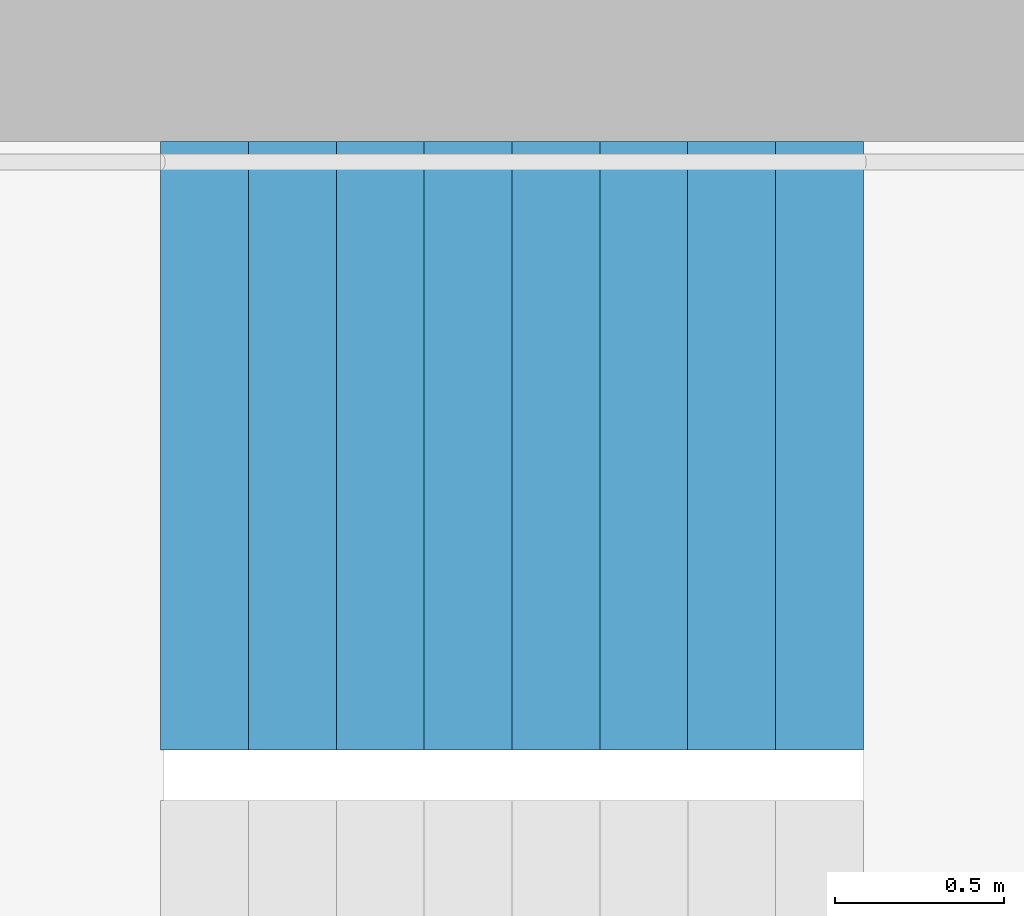
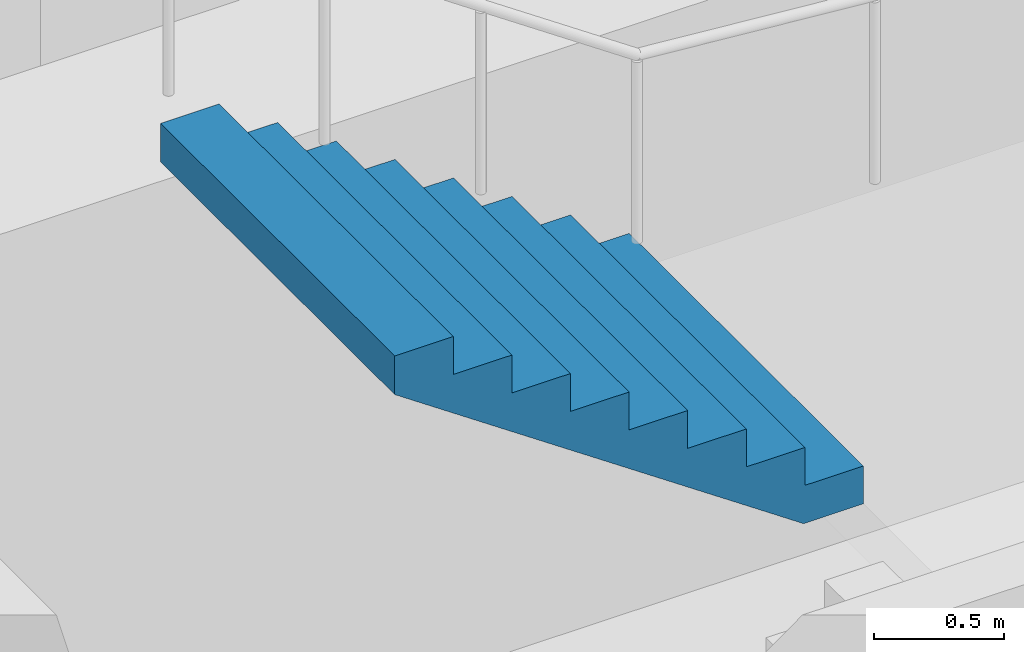
# One storey, part 20 of 25: 1 stair flight, 1 element without a shape of its own.
"""IFC4 building model written with IfcOpenShell, lengths in metres."""

from ifc_helpers import new_model, si_unit, direction, frame, origin, place, context, subcontext, project, spatial, triangles, material, type_object, element, aggregate, save


model = new_model("IFC4")

# Units and contexts
model_context = context("Model", 3, precision=1e-05, world=origin(), true_north=direction((0.0, 1.0)))
body_context = subcontext(model_context, "Body", "Model", "MODEL_VIEW")
ifc_project = project(units=[si_unit("LENGTHUNIT", "METRE"), si_unit("AREAUNIT", "SQUARE_METRE"), si_unit("VOLUMEUNIT", "CUBIC_METRE"), si_unit("PLANEANGLEUNIT", "RADIAN"), si_unit("MASSUNIT", "GRAM", prefix="KILO")], contexts=[model_context])

# Site, building, storey
site_placement = place(None, origin())
site = spatial("IfcSite", under=ifc_project, at=site_placement, CompositionType="ELEMENT")
building_placement = place(site_placement, origin())
building = spatial("IfcBuilding", under=site, at=building_placement, Name="Hakoniwa Tower and Hamabe Station Hall", CompositionType="ELEMENT")
storey_placement = place(building_placement, frame((0.0, 0.0, 186.60009765625)))
storey = spatial("IfcBuildingStorey", under=building, at=storey_placement, Name="L52", CompositionType="ELEMENT", Elevation=186.60009765625)

# Stair, stair flight
ifc_material_1 = material(Name="Concrete C40", Category="concrete")
stair_type = type_object("IfcStairType", Name="ESCAPE STAIR 1800", PredefinedType="HALF_TURN_STAIR", material=ifc_material_1)
stair_placement = place(storey_placement, origin())
stair = element("IfcStair", 1, at=stair_placement, inside=storey, type_object=stair_type, Name="Escape stair ST-1 L52", PredefinedType="HALF_TURN_STAIR")
ifc_material_2 = material(Name="Concrete C40", Category="concrete")
stair_flight_type = type_object("IfcStairFlightType", Name="STAIR FLIGHT 1800", PredefinedType="STRAIGHT", material=ifc_material_2)
stair_flight_placement = place(storey_placement, frame((-22.320068359375, 6.60009765625, 1.599853515625), z_axis=(0.0, 0.0, 1.0), x_axis=(-1.0, 0.0, 0.0)))
stair_flight = element("IfcStairFlight", 2, at=stair_flight_placement, type_object=stair_flight_type, Name="ST-1 flight 2", NumberOfRisers=9, NumberOfTreads=8, PredefinedType="STRAIGHT", RiserHeight=0.177777778, TreadLength=0.26, context=body_context, shape_type="Tessellation", body=[
    triangles([(0.0, 0.89990234375, 0.0), (0.260009765625, 0.89990234375, 0.0), (0.265625, 0.89990234375, 0.0), (0.52001953125, 0.89990234375, 0.174072265625), (0.780029296875, 0.89990234375, 0.351806640625), (1.0400390625, 0.89990234375, 0.529541015625), (1.300048828125, 0.89990234375, 0.707275390625), (1.56005859375, 0.89990234375, 0.885009765625), (1.820068359375, 0.89990234375, 1.062744140625), (2.080078125, 0.89990234375, 1.24072265625), (2.080078125, 0.89990234375, 1.422119140625), (1.820068359375, 0.89990234375, 1.422119140625), (1.820068359375, 0.89990234375, 1.244384765625), (1.56005859375, 0.89990234375, 1.244384765625), (1.56005859375, 0.89990234375, 1.066650390625), (1.300048828125, 0.89990234375, 1.066650390625), (1.300048828125, 0.89990234375, 0.888916015625), (1.0400390625, 0.89990234375, 0.888916015625), (1.0400390625, 0.89990234375, 0.711181640625), (0.780029296875, 0.89990234375, 0.711181640625), (0.780029296875, 0.89990234375, 0.533447265625), (0.52001953125, 0.89990234375, 0.533447265625), (0.52001953125, 0.89990234375, 0.35546875), (0.265625, 0.89990234375, 0.35546875), (0.260009765625, 0.89990234375, 0.35546875), (0.260009765625, 0.89990234375, 0.177734375), (0.0, 0.89990234375, 0.177734375), (0.0, 0.06005859375, 0.0), (0.260009765625, 0.06005859375, 0.0), (0.265625, 0.06005859375, 0.0), (0.52001953125, 0.06005859375, 0.174072265625), (0.780029296875, 0.06005859375, 0.351806640625), (1.0400390625, 0.06005859375, 0.529541015625), (1.300048828125, 0.06005859375, 0.707275390625), (1.56005859375, 0.06005859375, 0.885009765625), (1.820068359375, 0.06005859375, 1.062744140625), (2.080078125, 0.06005859375, 1.24072265625), (2.080078125, 0.06005859375, 1.422119140625), (1.820068359375, 0.06005859375, 1.422119140625), (1.820068359375, 0.06005859375, 1.244384765625), (1.56005859375, 0.06005859375, 1.244384765625), (1.56005859375, 0.06005859375, 1.066650390625), (1.300048828125, 0.06005859375, 1.066650390625), (1.300048828125, 0.06005859375, 0.888916015625), (1.0400390625, 0.06005859375, 0.888916015625), (1.0400390625, 0.06005859375, 0.711181640625), (0.780029296875, 0.06005859375, 0.711181640625), (0.780029296875, 0.06005859375, 0.533447265625), (0.52001953125, 0.06005859375, 0.533447265625), (0.52001953125, 0.06005859375, 0.35546875), (0.265625, 0.06005859375, 0.35546875), (0.260009765625, 0.06005859375, 0.35546875), (0.260009765625, 0.06005859375, 0.177734375), (0.0, 0.06005859375, 0.177734375), (0.0, 0.04296875, 0.0), (0.260009765625, 0.04296875, 0.0), (0.265625, 0.04296875, 0.0), (0.52001953125, 0.04296875, 0.174072265625), (0.780029296875, 0.04296875, 0.351806640625), (1.0400390625, 0.04296875, 0.529541015625), (1.300048828125, 0.04296875, 0.707275390625), (1.56005859375, 0.04296875, 0.885009765625), (1.820068359375, 0.04296875, 1.062744140625), (2.080078125, 0.04296875, 1.24072265625), (2.080078125, 0.04296875, 1.422119140625), (1.820068359375, 0.04296875, 1.422119140625), (1.820068359375, 0.04296875, 1.244384765625), (1.56005859375, 0.04296875, 1.244384765625), (1.56005859375, 0.04296875, 1.066650390625), (1.300048828125, 0.04296875, 1.066650390625), (1.300048828125, 0.04296875, 0.888916015625), (1.0400390625, 0.04296875, 0.888916015625), (1.0400390625, 0.04296875, 0.711181640625), (0.780029296875, 0.04296875, 0.711181640625), (0.780029296875, 0.04296875, 0.533447265625), (0.52001953125, 0.04296875, 0.533447265625), (0.52001953125, 0.04296875, 0.35546875), (0.265625, 0.04296875, 0.35546875), (0.260009765625, 0.04296875, 0.35546875), (0.260009765625, 0.04296875, 0.177734375), (0.0, 0.04296875, 0.177734375), (0.0, 0.025634765625, 0.0), (0.260009765625, 0.025634765625, 0.0), (0.265625, 0.025634765625, 0.0), (0.52001953125, 0.025634765625, 0.174072265625), (0.780029296875, 0.025634765625, 0.351806640625), (1.0400390625, 0.025634765625, 0.529541015625), (1.300048828125, 0.025634765625, 0.707275390625), (1.56005859375, 0.025634765625, 0.885009765625), (1.820068359375, 0.025634765625, 1.062744140625), (2.080078125, 0.025634765625, 1.24072265625), (2.080078125, 0.025634765625, 1.422119140625), (1.820068359375, 0.025634765625, 1.422119140625), (1.820068359375, 0.025634765625, 1.244384765625), (1.56005859375, 0.025634765625, 1.244384765625), (1.56005859375, 0.025634765625, 1.066650390625), (1.300048828125, 0.025634765625, 1.066650390625), (1.300048828125, 0.025634765625, 0.888916015625), (1.0400390625, 0.025634765625, 0.888916015625), (1.0400390625, 0.025634765625, 0.711181640625), (0.780029296875, 0.025634765625, 0.711181640625), (0.780029296875, 0.025634765625, 0.533447265625), (0.52001953125, 0.025634765625, 0.533447265625), (0.52001953125, 0.025634765625, 0.35546875), (0.265625, 0.025634765625, 0.35546875), (0.260009765625, 0.025634765625, 0.35546875), (0.260009765625, 0.025634765625, 0.177734375), (0.0, 0.025634765625, 0.177734375), (0.0, 0.008544921875, 0.0), (0.260009765625, 0.008544921875, 0.0), (0.265625, 0.008544921875, 0.0), (0.52001953125, 0.008544921875, 0.174072265625), (0.780029296875, 0.008544921875, 0.351806640625), (1.0400390625, 0.008544921875, 0.529541015625), (1.300048828125, 0.008544921875, 0.707275390625), (1.56005859375, 0.008544921875, 0.885009765625), (1.820068359375, 0.008544921875, 1.062744140625), (2.080078125, 0.008544921875, 1.24072265625), (2.080078125, 0.008544921875, 1.422119140625), (1.820068359375, 0.008544921875, 1.422119140625), (1.820068359375, 0.008544921875, 1.244384765625), (1.56005859375, 0.008544921875, 1.244384765625), (1.56005859375, 0.008544921875, 1.066650390625), (1.300048828125, 0.008544921875, 1.066650390625), (1.300048828125, 0.008544921875, 0.888916015625), (1.0400390625, 0.008544921875, 0.888916015625), (1.0400390625, 0.008544921875, 0.711181640625), (0.780029296875, 0.008544921875, 0.711181640625), (0.780029296875, 0.008544921875, 0.533447265625), (0.52001953125, 0.008544921875, 0.533447265625), (0.52001953125, 0.008544921875, 0.35546875), (0.265625, 0.008544921875, 0.35546875), (0.260009765625, 0.008544921875, 0.35546875), (0.260009765625, 0.008544921875, 0.177734375), (0.0, 0.008544921875, 0.177734375), (0.0, -0.008544921875, 0.0), (0.260009765625, -0.008544921875, 0.0), (0.265625, -0.008544921875, 0.0), (0.52001953125, -0.008544921875, 0.174072265625), (0.780029296875, -0.008544921875, 0.351806640625), (1.0400390625, -0.008544921875, 0.529541015625), (1.300048828125, -0.008544921875, 0.707275390625), (1.56005859375, -0.008544921875, 0.885009765625), (1.820068359375, -0.008544921875, 1.062744140625), (2.080078125, -0.008544921875, 1.24072265625), (2.080078125, -0.008544921875, 1.422119140625), (1.820068359375, -0.008544921875, 1.422119140625), (1.820068359375, -0.008544921875, 1.244384765625), (1.56005859375, -0.008544921875, 1.244384765625), (1.56005859375, -0.008544921875, 1.066650390625), (1.300048828125, -0.008544921875, 1.066650390625), (1.300048828125, -0.008544921875, 0.888916015625), (1.0400390625, -0.008544921875, 0.888916015625), (1.0400390625, -0.008544921875, 0.711181640625), (0.780029296875, -0.008544921875, 0.711181640625), (0.780029296875, -0.008544921875, 0.533447265625), (0.52001953125, -0.008544921875, 0.533447265625), (0.52001953125, -0.008544921875, 0.35546875), (0.265625, -0.008544921875, 0.35546875), (0.260009765625, -0.008544921875, 0.35546875), (0.260009765625, -0.008544921875, 0.177734375), (0.0, -0.008544921875, 0.177734375), (0.0, -0.025634765625, 0.0), (0.260009765625, -0.025634765625, 0.0), (0.265625, -0.025634765625, 0.0), (0.52001953125, -0.025634765625, 0.174072265625), (0.780029296875, -0.025634765625, 0.351806640625), (1.0400390625, -0.025634765625, 0.529541015625), (1.300048828125, -0.025634765625, 0.707275390625), (1.56005859375, -0.025634765625, 0.885009765625), (1.820068359375, -0.025634765625, 1.062744140625), (2.080078125, -0.025634765625, 1.24072265625), (2.080078125, -0.025634765625, 1.422119140625), (1.820068359375, -0.025634765625, 1.422119140625), (1.820068359375, -0.025634765625, 1.244384765625), (1.56005859375, -0.025634765625, 1.244384765625), (1.56005859375, -0.025634765625, 1.066650390625), (1.300048828125, -0.025634765625, 1.066650390625), (1.300048828125, -0.025634765625, 0.888916015625), (1.0400390625, -0.025634765625, 0.888916015625), (1.0400390625, -0.025634765625, 0.711181640625), (0.780029296875, -0.025634765625, 0.711181640625), (0.780029296875, -0.025634765625, 0.533447265625), (0.52001953125, -0.025634765625, 0.533447265625), (0.52001953125, -0.025634765625, 0.35546875), (0.265625, -0.025634765625, 0.35546875), (0.260009765625, -0.025634765625, 0.35546875), (0.260009765625, -0.025634765625, 0.177734375), (0.0, -0.025634765625, 0.177734375), (0.0, -0.04296875, 0.0), (0.260009765625, -0.04296875, 0.0), (0.265625, -0.04296875, 0.0), (0.52001953125, -0.04296875, 0.174072265625), (0.780029296875, -0.04296875, 0.351806640625), (1.0400390625, -0.04296875, 0.529541015625), (1.300048828125, -0.04296875, 0.707275390625), (1.56005859375, -0.04296875, 0.885009765625), (1.820068359375, -0.04296875, 1.062744140625), (2.080078125, -0.04296875, 1.24072265625), (2.080078125, -0.04296875, 1.422119140625), (1.820068359375, -0.04296875, 1.422119140625), (1.820068359375, -0.04296875, 1.244384765625), (1.56005859375, -0.04296875, 1.244384765625), (1.56005859375, -0.04296875, 1.066650390625), (1.300048828125, -0.04296875, 1.066650390625), (1.300048828125, -0.04296875, 0.888916015625), (1.0400390625, -0.04296875, 0.888916015625), (1.0400390625, -0.04296875, 0.711181640625), (0.780029296875, -0.04296875, 0.711181640625), (0.780029296875, -0.04296875, 0.533447265625), (0.52001953125, -0.04296875, 0.533447265625), (0.52001953125, -0.04296875, 0.35546875), (0.265625, -0.04296875, 0.35546875), (0.260009765625, -0.04296875, 0.35546875), (0.260009765625, -0.04296875, 0.177734375), (0.0, -0.04296875, 0.177734375), (0.0, -0.06005859375, 0.0), (0.260009765625, -0.06005859375, 0.0), (0.265625, -0.06005859375, 0.0), (0.52001953125, -0.06005859375, 0.174072265625), (0.780029296875, -0.06005859375, 0.351806640625), (1.0400390625, -0.06005859375, 0.529541015625), (1.300048828125, -0.06005859375, 0.707275390625), (1.56005859375, -0.06005859375, 0.885009765625), (1.820068359375, -0.06005859375, 1.062744140625), (2.080078125, -0.06005859375, 1.24072265625), (2.080078125, -0.06005859375, 1.422119140625), (1.820068359375, -0.06005859375, 1.422119140625), (1.820068359375, -0.06005859375, 1.244384765625), (1.56005859375, -0.06005859375, 1.244384765625), (1.56005859375, -0.06005859375, 1.066650390625), (1.300048828125, -0.06005859375, 1.066650390625), (1.300048828125, -0.06005859375, 0.888916015625), (1.0400390625, -0.06005859375, 0.888916015625), (1.0400390625, -0.06005859375, 0.711181640625), (0.780029296875, -0.06005859375, 0.711181640625), (0.780029296875, -0.06005859375, 0.533447265625), (0.52001953125, -0.06005859375, 0.533447265625), (0.52001953125, -0.06005859375, 0.35546875), (0.265625, -0.06005859375, 0.35546875), (0.260009765625, -0.06005859375, 0.35546875), (0.260009765625, -0.06005859375, 0.177734375), (0.0, -0.06005859375, 0.177734375), (0.0, -0.89990234375, 0.0), (0.260009765625, -0.89990234375, 0.0), (0.265625, -0.89990234375, 0.0), (0.52001953125, -0.89990234375, 0.174072265625), (0.780029296875, -0.89990234375, 0.351806640625), (1.0400390625, -0.89990234375, 0.529541015625), (1.300048828125, -0.89990234375, 0.707275390625), (1.56005859375, -0.89990234375, 0.885009765625), (1.820068359375, -0.89990234375, 1.062744140625), (2.080078125, -0.89990234375, 1.24072265625), (2.080078125, -0.89990234375, 1.422119140625), (1.820068359375, -0.89990234375, 1.422119140625), (1.820068359375, -0.89990234375, 1.244384765625), (1.56005859375, -0.89990234375, 1.244384765625), (1.56005859375, -0.89990234375, 1.066650390625), (1.300048828125, -0.89990234375, 1.066650390625), (1.300048828125, -0.89990234375, 0.888916015625), (1.0400390625, -0.89990234375, 0.888916015625), (1.0400390625, -0.89990234375, 0.711181640625), (0.780029296875, -0.89990234375, 0.711181640625), (0.780029296875, -0.89990234375, 0.533447265625), (0.52001953125, -0.89990234375, 0.533447265625), (0.52001953125, -0.89990234375, 0.35546875), (0.265625, -0.89990234375, 0.35546875), (0.260009765625, -0.89990234375, 0.35546875), (0.260009765625, -0.89990234375, 0.177734375), (0.0, -0.89990234375, 0.177734375)], [[2, 27, 26], [245, 269, 270], [2, 1, 27], [245, 270, 244], [3, 25, 24], [246, 267, 268], [3, 26, 25], [246, 268, 269], [3, 2, 26], [246, 269, 245], [4, 24, 23], [247, 266, 267], [4, 3, 24], [247, 267, 246], [5, 22, 21], [248, 264, 265], [5, 23, 22], [248, 265, 266], [5, 4, 23], [248, 266, 247], [6, 20, 19], [249, 262, 263], [6, 21, 20], [249, 263, 264], [6, 5, 21], [249, 264, 248], [7, 18, 17], [250, 260, 261], [7, 19, 18], [250, 261, 262], [7, 6, 19], [250, 262, 249], [8, 16, 15], [251, 258, 259], [8, 17, 16], [251, 259, 260], [8, 7, 17], [251, 260, 250], [9, 14, 13], [252, 256, 257], [9, 15, 14], [252, 257, 258], [9, 8, 15], [252, 258, 251], [10, 12, 11], [253, 254, 255], [10, 13, 12], [253, 255, 256], [10, 9, 13], [253, 256, 252], [1, 2, 29], [1, 29, 28], [28, 29, 56], [28, 56, 55], [55, 56, 83], [55, 83, 82], [82, 83, 110], [82, 110, 109], [109, 110, 137], [109, 137, 136], [136, 137, 164], [136, 164, 163], [163, 164, 191], [163, 191, 190], [190, 191, 218], [190, 218, 217], [217, 218, 245], [217, 245, 244], [2, 3, 30], [2, 30, 29], [29, 30, 57], [29, 57, 56], [56, 57, 84], [56, 84, 83], [83, 84, 111], [83, 111, 110], [110, 111, 138], [110, 138, 137], [137, 138, 165], [137, 165, 164], [164, 165, 192], [164, 192, 191], [191, 192, 219], [191, 219, 218], [218, 219, 246], [218, 246, 245], [3, 4, 31], [3, 31, 30], [30, 31, 58], [30, 58, 57], [57, 58, 85], [57, 85, 84], [84, 85, 112], [84, 112, 111], [111, 112, 139], [111, 139, 138], [138, 139, 166], [138, 166, 165], [165, 166, 193], [165, 193, 192], [192, 193, 220], [192, 220, 219], [219, 220, 247], [219, 247, 246], [4, 5, 32], [4, 32, 31], [31, 32, 59], [31, 59, 58], [58, 59, 86], [58, 86, 85], [85, 86, 113], [85, 113, 112], [112, 113, 140], [112, 140, 139], [139, 140, 167], [139, 167, 166], [166, 167, 194], [166, 194, 193], [193, 194, 221], [193, 221, 220], [220, 221, 248], [220, 248, 247], [5, 6, 33], [5, 33, 32], [32, 33, 60], [32, 60, 59], [59, 60, 87], [59, 87, 86], [86, 87, 114], [86, 114, 113], [113, 114, 141], [113, 141, 140], [140, 141, 168], [140, 168, 167], [167, 168, 195], [167, 195, 194], [194, 195, 222], [194, 222, 221], [221, 222, 249], [221, 249, 248], [6, 7, 34], [6, 34, 33], [33, 34, 61], [33, 61, 60], [60, 61, 88], [60, 88, 87], [87, 88, 115], [87, 115, 114], [114, 115, 142], [114, 142, 141], [141, 142, 169], [141, 169, 168], [168, 169, 196], [168, 196, 195], [195, 196, 223], [195, 223, 222], [222, 223, 250], [222, 250, 249], [7, 8, 35], [7, 35, 34], [34, 35, 62], [34, 62, 61], [61, 62, 89], [61, 89, 88], [88, 89, 116], [88, 116, 115], [115, 116, 143], [115, 143, 142], [142, 143, 170], [142, 170, 169], [169, 170, 197], [169, 197, 196], [196, 197, 224], [196, 224, 223], [223, 224, 251], [223, 251, 250], [8, 9, 36], [8, 36, 35], [35, 36, 63], [35, 63, 62], [62, 63, 90], [62, 90, 89], [89, 90, 117], [89, 117, 116], [116, 117, 144], [116, 144, 143], [143, 144, 171], [143, 171, 170], [170, 171, 198], [170, 198, 197], [197, 198, 225], [197, 225, 224], [224, 225, 252], [224, 252, 251], [9, 10, 37], [9, 37, 36], [36, 37, 64], [36, 64, 63], [63, 64, 91], [63, 91, 90], [90, 91, 118], [90, 118, 117], [117, 118, 145], [117, 145, 144], [144, 145, 172], [144, 172, 171], [171, 172, 199], [171, 199, 198], [198, 199, 226], [198, 226, 225], [225, 226, 253], [225, 253, 252], [10, 11, 38], [10, 38, 37], [37, 38, 65], [37, 65, 64], [64, 65, 92], [64, 92, 91], [91, 92, 119], [91, 119, 118], [118, 119, 146], [118, 146, 145], [145, 146, 173], [145, 173, 172], [172, 173, 200], [172, 200, 199], [199, 200, 227], [199, 227, 226], [226, 227, 254], [226, 254, 253], [11, 12, 39], [11, 39, 38], [38, 39, 66], [38, 66, 65], [65, 66, 93], [65, 93, 92], [92, 93, 120], [92, 120, 119], [119, 120, 147], [119, 147, 146], [146, 147, 174], [146, 174, 173], [173, 174, 201], [173, 201, 200], [200, 201, 228], [200, 228, 227], [227, 228, 255], [227, 255, 254], [12, 13, 40], [12, 40, 39], [39, 40, 67], [39, 67, 66], [66, 67, 94], [66, 94, 93], [93, 94, 121], [93, 121, 120], [120, 121, 148], [120, 148, 147], [147, 148, 175], [147, 175, 174], [174, 175, 202], [174, 202, 201], [201, 202, 229], [201, 229, 228], [228, 229, 256], [228, 256, 255], [13, 14, 41], [13, 41, 40], [40, 41, 68], [40, 68, 67], [67, 68, 95], [67, 95, 94], [94, 95, 122], [94, 122, 121], [121, 122, 149], [121, 149, 148], [148, 149, 176], [148, 176, 175], [175, 176, 203], [175, 203, 202], [202, 203, 230], [202, 230, 229], [229, 230, 257], [229, 257, 256], [14, 15, 42], [14, 42, 41], [41, 42, 69], [41, 69, 68], [68, 69, 96], [68, 96, 95], [95, 96, 123], [95, 123, 122], [122, 123, 150], [122, 150, 149], [149, 150, 177], [149, 177, 176], [176, 177, 204], [176, 204, 203], [203, 204, 231], [203, 231, 230], [230, 231, 258], [230, 258, 257], [15, 16, 43], [15, 43, 42], [42, 43, 70], [42, 70, 69], [69, 70, 97], [69, 97, 96], [96, 97, 124], [96, 124, 123], [123, 124, 151], [123, 151, 150], [150, 151, 178], [150, 178, 177], [177, 178, 205], [177, 205, 204], [204, 205, 232], [204, 232, 231], [231, 232, 259], [231, 259, 258], [16, 17, 44], [16, 44, 43], [43, 44, 71], [43, 71, 70], [70, 71, 98], [70, 98, 97], [97, 98, 125], [97, 125, 124], [124, 125, 152], [124, 152, 151], [151, 152, 179], [151, 179, 178], [178, 179, 206], [178, 206, 205], [205, 206, 233], [205, 233, 232], [232, 233, 260], [232, 260, 259], [17, 18, 45], [17, 45, 44], [44, 45, 72], [44, 72, 71], [71, 72, 99], [71, 99, 98], [98, 99, 126], [98, 126, 125], [125, 126, 153], [125, 153, 152], [152, 153, 180], [152, 180, 179], [179, 180, 207], [179, 207, 206], [206, 207, 234], [206, 234, 233], [233, 234, 261], [233, 261, 260], [18, 19, 46], [18, 46, 45], [45, 46, 73], [45, 73, 72], [72, 73, 100], [72, 100, 99], [99, 100, 127], [99, 127, 126], [126, 127, 154], [126, 154, 153], [153, 154, 181], [153, 181, 180], [180, 181, 208], [180, 208, 207], [207, 208, 235], [207, 235, 234], [234, 235, 262], [234, 262, 261], [19, 20, 47], [19, 47, 46], [46, 47, 74], [46, 74, 73], [73, 74, 101], [73, 101, 100], [100, 101, 128], [100, 128, 127], [127, 128, 155], [127, 155, 154], [154, 155, 182], [154, 182, 181], [181, 182, 209], [181, 209, 208], [208, 209, 236], [208, 236, 235], [235, 236, 263], [235, 263, 262], [20, 21, 48], [20, 48, 47], [47, 48, 75], [47, 75, 74], [74, 75, 102], [74, 102, 101], [101, 102, 129], [101, 129, 128], [128, 129, 156], [128, 156, 155], [155, 156, 183], [155, 183, 182], [182, 183, 210], [182, 210, 209], [209, 210, 237], [209, 237, 236], [236, 237, 264], [236, 264, 263], [21, 22, 49], [21, 49, 48], [48, 49, 76], [48, 76, 75], [75, 76, 103], [75, 103, 102], [102, 103, 130], [102, 130, 129], [129, 130, 157], [129, 157, 156], [156, 157, 184], [156, 184, 183], [183, 184, 211], [183, 211, 210], [210, 211, 238], [210, 238, 237], [237, 238, 265], [237, 265, 264], [22, 23, 50], [22, 50, 49], [49, 50, 77], [49, 77, 76], [76, 77, 104], [76, 104, 103], [103, 104, 131], [103, 131, 130], [130, 131, 158], [130, 158, 157], [157, 158, 185], [157, 185, 184], [184, 185, 212], [184, 212, 211], [211, 212, 239], [211, 239, 238], [238, 239, 266], [238, 266, 265], [23, 24, 51], [23, 51, 50], [50, 51, 78], [50, 78, 77], [77, 78, 105], [77, 105, 104], [104, 105, 132], [104, 132, 131], [131, 132, 159], [131, 159, 158], [158, 159, 186], [158, 186, 185], [185, 186, 213], [185, 213, 212], [212, 213, 240], [212, 240, 239], [239, 240, 267], [239, 267, 266], [24, 25, 52], [24, 52, 51], [51, 52, 79], [51, 79, 78], [78, 79, 106], [78, 106, 105], [105, 106, 133], [105, 133, 132], [132, 133, 160], [132, 160, 159], [159, 160, 187], [159, 187, 186], [186, 187, 214], [186, 214, 213], [213, 214, 241], [213, 241, 240], [240, 241, 268], [240, 268, 267], [25, 26, 53], [25, 53, 52], [52, 53, 80], [52, 80, 79], [79, 80, 107], [79, 107, 106], [106, 107, 134], [106, 134, 133], [133, 134, 161], [133, 161, 160], [160, 161, 188], [160, 188, 187], [187, 188, 215], [187, 215, 214], [214, 215, 242], [214, 242, 241], [241, 242, 269], [241, 269, 268], [26, 27, 54], [26, 54, 53], [53, 54, 81], [53, 81, 80], [80, 81, 108], [80, 108, 107], [107, 108, 135], [107, 135, 134], [134, 135, 162], [134, 162, 161], [161, 162, 189], [161, 189, 188], [188, 189, 216], [188, 216, 215], [215, 216, 243], [215, 243, 242], [242, 243, 270], [242, 270, 269], [27, 1, 28], [27, 28, 54], [54, 28, 55], [54, 55, 81], [81, 55, 82], [81, 82, 108], [108, 82, 109], [108, 109, 135], [135, 109, 136], [135, 136, 162], [162, 136, 163], [162, 163, 189], [189, 163, 190], [189, 190, 216], [216, 190, 217], [216, 217, 243], [243, 217, 244], [243, 244, 270]], closed=True),
])
aggregate(stair, [stair_flight])

save(model, "model.ifc")
